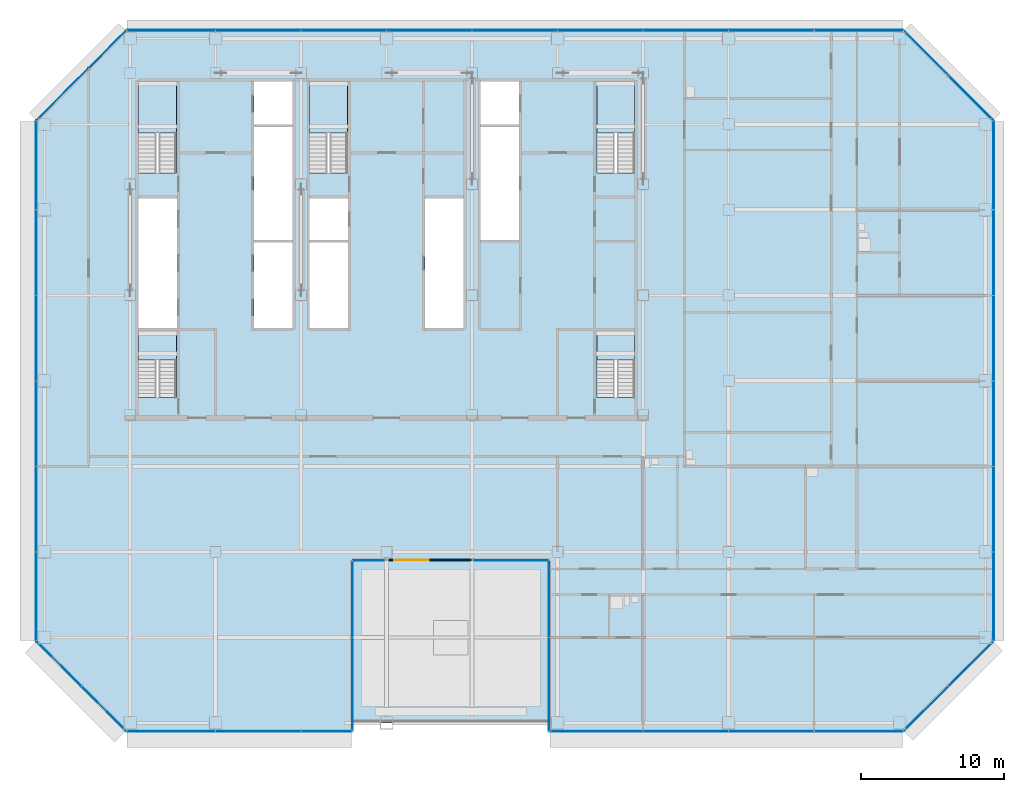
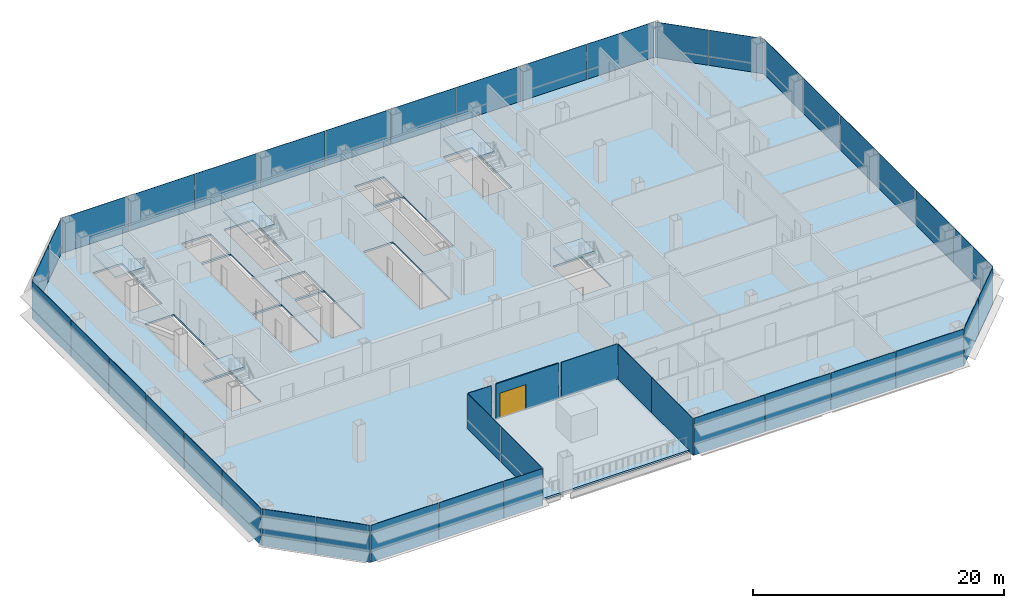
# One storey, part 19 of 27: 42 plates, 7 slabs, 1 door, 1 wall, 1 opening, 17 elements without a shape of their own.
"""IFC4 building model written with IfcOpenShell, lengths in metres."""

from ifc_helpers import new_model, si_unit, direction, frame, frame_2d, origin, origin_2d, place, context, subcontext, project, spatial, polyline, rectangle, outline, extrude, material, layer, layer_set, type_object, element, fill, aggregate, save


model = new_model("IFC4")

# Units and contexts
model_context = context("Model", 3, precision=1e-05, world=origin(), true_north=direction((0.0, 1.0)))
body_context = subcontext(model_context, "Body", "Model", "MODEL_VIEW")
ifc_project = project(units=[si_unit("LENGTHUNIT", "METRE"), si_unit("AREAUNIT", "SQUARE_METRE"), si_unit("VOLUMEUNIT", "CUBIC_METRE"), si_unit("PLANEANGLEUNIT", "RADIAN"), si_unit("MASSUNIT", "GRAM", prefix="KILO")], contexts=[model_context])

# Site, building, storey
site_placement = place(None, origin())
site = spatial("IfcSite", under=ifc_project, at=site_placement, CompositionType="ELEMENT")
building_placement = place(site_placement, origin())
building = spatial("IfcBuilding", under=site, at=building_placement, Name="Sorahane Residences", CompositionType="ELEMENT")
storey_placement = place(building_placement, frame((0.0, 0.0, 82.199951171875)))
storey = spatial("IfcBuildingStorey", under=building, at=storey_placement, Name="L17", CompositionType="ELEMENT", Elevation=82.199951171875)

# Slab
ifc_material_1 = material(Name="Concrete C35", Category="concrete")
ifc_layer_1 = layer(ifc_material_1, 0.179931640625)
ifc_layer_set_1 = layer_set([ifc_layer_1], Name="Composite floor slab 180 mm Concrete C35")
slab_type_1 = type_object("IfcSlabType", Name="Composite floor slab 180 mm Concrete C35", PredefinedType="FLOOR", material=ifc_layer_set_1)
slab_1_placement = place(storey_placement, frame((0.0, 0.0, -0.179931640625)))
element("IfcSlab", 1, at=slab_1_placement, inside=storey, type_object=slab_type_1, Name="Slab L17", PredefinedType="FLOOR", context=body_context, shape_type="SweptSolid", body=[
    extrude(outline(polyline([(5.75146484375, -0.60009765625), (-0.60009765625, 5.75146484375), (-0.60009765625, 42.24853515625), (5.75146484375, 48.60009765625), (60.24853515625, 48.60009765625), (66.60009765625, 42.24853515625), (66.60009765625, 5.75146484375), (60.24853515625, -0.60009765625), (35.39990234375, -0.60009765625), (35.39990234375, 11.39990234375), (21.60009765625, 11.39990234375), (21.60009765625, -0.60009765625), (5.75146484375, -0.60009765625)]), holes=[polyline([(18.60009765625, 27.699951171875), (21.300048828125, 27.699951171875), (21.300048828125, 33.699951171875), (18.60009765625, 33.699951171875), (18.60009765625, 27.699951171875)]), polyline([(30.60009765625, 42.0), (33.300048828125, 42.0), (33.300048828125, 45.0), (30.60009765625, 45.0), (30.60009765625, 42.0)]), polyline([(14.699951171875, 27.699951171875), (17.39990234375, 27.699951171875), (17.39990234375, 33.699951171875), (14.699951171875, 33.699951171875), (14.699951171875, 27.699951171875)]), polyline([(14.699951171875, 42.0), (17.39990234375, 42.0), (17.39990234375, 45.0), (14.699951171875, 45.0), (14.699951171875, 42.0)]), polyline([(6.60009765625, 27.699951171875), (9.300048828125, 27.699951171875), (9.300048828125, 36.800048828125), (6.60009765625, 36.800048828125), (6.60009765625, 27.699951171875)]), polyline([(9.25, 38.60009765625), (9.25, 45.0), (6.60009765625, 45.0), (6.60009765625, 38.60009765625), (9.25, 38.60009765625)]), polyline([(41.39990234375, 38.60009765625), (41.39990234375, 45.0), (38.75, 45.0), (38.75, 38.60009765625), (41.39990234375, 38.60009765625)]), polyline([(21.25, 38.60009765625), (21.25, 45.0), (18.60009765625, 45.0), (18.60009765625, 38.60009765625), (21.25, 38.60009765625)]), polyline([(9.25, 22.85009765625), (9.25, 27.5), (6.60009765625, 27.5), (6.60009765625, 22.85009765625), (9.25, 22.85009765625)]), polyline([(41.39990234375, 22.85009765625), (41.39990234375, 27.5), (38.75, 27.5), (38.75, 22.85009765625), (41.39990234375, 22.85009765625)]), polyline([(14.699951171875, 33.89990234375), (17.39990234375, 33.89990234375), (17.39990234375, 41.800048828125), (14.699951171875, 41.800048828125), (14.699951171875, 33.89990234375)]), polyline([(30.60009765625, 33.89990234375), (33.300048828125, 33.89990234375), (33.300048828125, 41.800048828125), (30.60009765625, 41.800048828125), (30.60009765625, 33.89990234375)]), polyline([(18.60009765625, 33.89990234375), (21.300048828125, 33.89990234375), (21.300048828125, 36.800048828125), (18.60009765625, 36.800048828125), (18.60009765625, 33.89990234375)]), polyline([(26.699951171875, 27.699951171875), (29.39990234375, 27.699951171875), (29.39990234375, 36.800048828125), (26.699951171875, 36.800048828125), (26.699951171875, 27.699951171875)])]), origin(), (0.0, 0.0, 1.0), 0.179931640625),
])

# Curtain wall, plates
ifc_material_2 = material(Name="Dark low-e glass and black anodised aluminium", Category="aluminium")
curtain_wall_type_1 = type_object("IfcCurtainWallType", Name="Curtain wall CW-1 Typical unitised wall", PredefinedType="NOTDEFINED", material=ifc_material_2)
curtain_wall_1_placement = place(storey_placement, origin())
curtain_wall_1 = element("IfcCurtainWall", 2, at=curtain_wall_1_placement, inside=storey, type_object=curtain_wall_type_1, Name="CW-1 curtain wall L17 S1", PredefinedType="NOTDEFINED")
ifc_material_3 = material(Name="Dark low-e glass with black ceramic frit", Category="glass")
ifc_layer_2 = layer(ifc_material_3, 0.0400390625)
ifc_layer_set_2 = layer_set([ifc_layer_2], Name="Curtain wall glass panel dark low-e with black frit spandrel band")
plate_type = type_object("IfcPlateType", Name="Curtain wall glass panel dark low-e with black frit spandrel band", PredefinedType="CURTAIN_PANEL", material=ifc_layer_set_2)
plate_1_placement = place(storey_placement, frame((8.88818359375, -0.60009765625, -0.179931640625), z_axis=(0.0, 0.0, 1.0), x_axis=(1.0, 0.0, 0.0)))
plate_1 = element("IfcPlate", 3, at=plate_1_placement, type_object=plate_type, Name="CW-1 glass panel L17 S1.1", PredefinedType="CURTAIN_PANEL", context=body_context, shape_type="SweptSolid", body=[
    extrude(rectangle(XDim=6.173583984375, YDim=0.0400390625, at=origin_2d()), origin(), (0.0, 0.0, 1.0), 3.60009765625),
])
plate_2_placement = place(storey_placement, frame((15.0, -0.60009765625, -0.179931640625), z_axis=(0.0, 0.0, 1.0), x_axis=(1.0, 0.0, 0.0)))
plate_2 = element("IfcPlate", 4, at=plate_2_placement, type_object=plate_type, Name="CW-1 glass panel L17 S1.2", PredefinedType="CURTAIN_PANEL", context=body_context, shape_type="SweptSolid", body=[
    extrude(rectangle(XDim=5.949951171875, YDim=0.0400390625, at=origin_2d()), origin(), (0.0, 0.0, 1.0), 3.60009765625),
])
plate_3_placement = place(storey_placement, frame((19.78759765625, -0.60009765625, -0.179931640625), z_axis=(0.0, 0.0, 1.0), x_axis=(1.0, 0.0, 0.0)))
plate_3 = element("IfcPlate", 5, at=plate_3_placement, type_object=plate_type, Name="CW-1 glass panel L17 S1.3", PredefinedType="CURTAIN_PANEL", context=body_context, shape_type="SweptSolid", body=[
    extrude(rectangle(XDim=3.52490234375, YDim=0.0400390625, at=origin_2d()), origin(), (0.0, 0.0, 1.0), 3.60009765625),
])
aggregate(curtain_wall_1, [plate_1, plate_2, plate_3])

curtain_wall_2_placement = place(storey_placement, origin())
curtain_wall_2 = element("IfcCurtainWall", 6, at=curtain_wall_2_placement, inside=storey, type_object=curtain_wall_type_1, Name="CW-1 curtain wall L17 E1", PredefinedType="NOTDEFINED")
plate_4_placement = place(storey_placement, frame((21.60009765625, 2.71240234375, -0.179931640625), z_axis=(0.0, 0.0, 1.0), x_axis=(0.0, 1.0, 0.0)))
plate_4 = element("IfcPlate", 7, at=plate_4_placement, type_object=plate_type, Name="CW-1 glass panel L17 E1.1", PredefinedType="CURTAIN_PANEL", context=body_context, shape_type="SweptSolid", body=[
    extrude(rectangle(XDim=6.52490234375, YDim=0.0400390625, at=origin_2d()), origin(), (0.0, 0.0, 1.0), 3.60009765625),
])
plate_5_placement = place(storey_placement, frame((21.60009765625, 8.6875, -0.179931640625), z_axis=(0.0, 0.0, 1.0), x_axis=(0.0, 1.0, 0.0)))
plate_5 = element("IfcPlate", 8, at=plate_5_placement, type_object=plate_type, Name="CW-1 glass panel L17 E1.2", PredefinedType="CURTAIN_PANEL", context=body_context, shape_type="SweptSolid", body=[
    extrude(rectangle(XDim=5.324951171875, YDim=0.0400390625, at=origin_2d()), origin(), (0.0, 0.0, 1.0), 3.60009765625),
])
aggregate(curtain_wall_2, [plate_4, plate_5])

curtain_wall_3_placement = place(storey_placement, origin())
curtain_wall_3 = element("IfcCurtainWall", 9, at=curtain_wall_3_placement, inside=storey, type_object=curtain_wall_type_1, Name="CW-1 curtain wall L17 S2", PredefinedType="NOTDEFINED")
plate_6_placement = place(storey_placement, frame((22.72509765625, 11.39990234375, -0.179931640625), z_axis=(0.0, 0.0, 1.0), x_axis=(1.0, 0.0, 0.0)))
plate_6 = element("IfcPlate", 10, at=plate_6_placement, type_object=plate_type, Name="CW-1 glass panel L17 S2.1", PredefinedType="CURTAIN_PANEL", context=body_context, shape_type="SweptSolid", body=[
    extrude(rectangle(XDim=2.14990234375, YDim=0.0400390625, at=origin_2d()), origin(), (0.0, 0.0, 1.0), 3.60009765625),
])
plate_7_placement = place(storey_placement, frame((32.77490234375, 11.39990234375, -0.179931640625), z_axis=(0.0, 0.0, 1.0), x_axis=(1.0, 0.0, 0.0)))
plate_7 = element("IfcPlate", 11, at=plate_7_placement, type_object=plate_type, Name="CW-1 glass panel L17 S2.3", PredefinedType="CURTAIN_PANEL", context=body_context, shape_type="SweptSolid", body=[
    extrude(rectangle(XDim=5.14990234375, YDim=0.0400390625, at=origin_2d()), origin(), (0.0, 0.0, 1.0), 3.60009765625),
])
aggregate(curtain_wall_3, [plate_6, plate_7])

curtain_wall_4_placement = place(storey_placement, origin())
curtain_wall_4 = element("IfcCurtainWall", 12, at=curtain_wall_4_placement, inside=storey, type_object=curtain_wall_type_1, Name="CW-1 curtain wall L17 W1", PredefinedType="NOTDEFINED")
plate_8_placement = place(storey_placement, frame((35.39990234375, 8.6875, -0.179931640625), z_axis=(0.0, 0.0, 1.0), x_axis=(0.0, -1.0, 0.0)))
plate_8 = element("IfcPlate", 13, at=plate_8_placement, type_object=plate_type, Name="CW-1 glass panel L17 W1.1", PredefinedType="CURTAIN_PANEL", context=body_context, shape_type="SweptSolid", body=[
    extrude(rectangle(XDim=5.324951171875, YDim=0.0400390625, at=origin_2d()), origin(), (0.0, 0.0, 1.0), 3.60009765625),
])
plate_9_placement = place(storey_placement, frame((35.39990234375, 2.71240234375, -0.179931640625), z_axis=(0.0, 0.0, 1.0), x_axis=(0.0, -1.0, 0.0)))
plate_9 = element("IfcPlate", 14, at=plate_9_placement, type_object=plate_type, Name="CW-1 glass panel L17 W1.2", PredefinedType="CURTAIN_PANEL", context=body_context, shape_type="SweptSolid", body=[
    extrude(rectangle(XDim=6.52490234375, YDim=0.0400390625, at=origin_2d()), origin(), (0.0, 0.0, 1.0), 3.60009765625),
])
aggregate(curtain_wall_4, [plate_8, plate_9])

curtain_wall_5_placement = place(storey_placement, origin())
curtain_wall_5 = element("IfcCurtainWall", 15, at=curtain_wall_5_placement, inside=storey, type_object=curtain_wall_type_1, Name="CW-1 curtain wall L17 S3", PredefinedType="NOTDEFINED")
plate_10_placement = place(storey_placement, frame((38.71240234375, -0.60009765625, -0.179931640625), z_axis=(0.0, 0.0, 1.0), x_axis=(1.0, 0.0, 0.0)))
plate_10 = element("IfcPlate", 16, at=plate_10_placement, type_object=plate_type, Name="CW-1 glass panel L17 S3.1", PredefinedType="CURTAIN_PANEL", context=body_context, shape_type="SweptSolid", body=[
    extrude(rectangle(XDim=6.52490234375, YDim=0.0400390625, at=origin_2d()), origin(), (0.0, 0.0, 1.0), 3.60009765625),
])
plate_11_placement = place(storey_placement, frame((45.0, -0.60009765625, -0.179931640625), z_axis=(0.0, 0.0, 1.0), x_axis=(1.0, 0.0, 0.0)))
plate_11 = element("IfcPlate", 17, at=plate_11_placement, type_object=plate_type, Name="CW-1 glass panel L17 S3.2", PredefinedType="CURTAIN_PANEL", context=body_context, shape_type="SweptSolid", body=[
    extrude(rectangle(XDim=5.949951171875, YDim=0.0400390625, at=origin_2d()), origin(), (0.0, 0.0, 1.0), 3.60009765625),
])
plate_12_placement = place(storey_placement, frame((51.0, -0.60009765625, -0.179931640625), z_axis=(0.0, 0.0, 1.0), x_axis=(1.0, 0.0, 0.0)))
plate_12 = element("IfcPlate", 18, at=plate_12_placement, type_object=plate_type, Name="CW-1 glass panel L17 S3.3", PredefinedType="CURTAIN_PANEL", context=body_context, shape_type="SweptSolid", body=[
    extrude(rectangle(XDim=5.949951171875, YDim=0.0400390625, at=origin_2d()), origin(), (0.0, 0.0, 1.0), 3.60009765625),
])
plate_13_placement = place(storey_placement, frame((57.11181640625, -0.60009765625, -0.179931640625), z_axis=(0.0, 0.0, 1.0), x_axis=(1.0, 0.0, 0.0)))
plate_13 = element("IfcPlate", 19, at=plate_13_placement, type_object=plate_type, Name="CW-1 glass panel L17 S3.4", PredefinedType="CURTAIN_PANEL", context=body_context, shape_type="SweptSolid", body=[
    extrude(rectangle(XDim=6.173583984375, YDim=0.0400390625, at=origin_2d()), origin(), (0.0, 0.0, 1.0), 3.60009765625),
])
aggregate(curtain_wall_5, [plate_10, plate_11, plate_12, plate_13])

ifc_material_4 = material(Name="Dark low-e glass and black anodised aluminium", Category="aluminium")
curtain_wall_type_2 = type_object("IfcCurtainWallType", Name="Curtain wall CW-2 Chamfer unitised wall", PredefinedType="NOTDEFINED", material=ifc_material_4)
curtain_wall_6_placement = place(storey_placement, origin())
curtain_wall_6 = element("IfcCurtainWall", 20, at=curtain_wall_6_placement, inside=storey, type_object=curtain_wall_type_2, Name="CW-2 curtain wall L17 SE1", PredefinedType="NOTDEFINED")
plate_14_placement = place(storey_placement, frame((61.84521484375, 0.996826171875, -0.179931640625), z_axis=(0.0, 0.0, 1.0), x_axis=(0.707106781187, 0.707106781187, 0.0)))
plate_14 = element("IfcPlate", 21, at=plate_14_placement, type_object=plate_type, Name="CW-2 glass panel L17 SE1.1", PredefinedType="CURTAIN_PANEL", context=body_context, shape_type="SweptSolid", body=[
    extrude(rectangle(XDim=4.416259765625, YDim=0.0400390625, at=origin_2d()), origin(), (0.0, 0.0, 1.0), 3.60009765625),
])
plate_15_placement = place(storey_placement, frame((65.003173828125, 4.15478515625, -0.179931640625), z_axis=(0.0, 0.0, 1.0), x_axis=(0.707106781187, 0.707106781187, 0.0)))
plate_15 = element("IfcPlate", 22, at=plate_15_placement, type_object=plate_type, Name="CW-2 glass panel L17 SE1.2", PredefinedType="CURTAIN_PANEL", context=body_context, shape_type="SweptSolid", body=[
    extrude(rectangle(XDim=4.416259765625, YDim=0.0400390625, at=origin_2d()), origin(), (0.0, 0.0, 1.0), 3.60009765625),
])
aggregate(curtain_wall_6, [plate_14, plate_15])

curtain_wall_7_placement = place(storey_placement, origin())
curtain_wall_7 = element("IfcCurtainWall", 23, at=curtain_wall_7_placement, inside=storey, type_object=curtain_wall_type_1, Name="CW-1 curtain wall L17 E2", PredefinedType="NOTDEFINED")
plate_16_placement = place(storey_placement, frame((66.60009765625, 8.88818359375, -0.179931640625), z_axis=(0.0, 0.0, 1.0), x_axis=(0.0, 1.0, 0.0)))
plate_16 = element("IfcPlate", 24, at=plate_16_placement, type_object=plate_type, Name="CW-1 glass panel L17 E2.1", PredefinedType="CURTAIN_PANEL", context=body_context, shape_type="SweptSolid", body=[
    extrude(rectangle(XDim=6.173583984375, YDim=0.0400390625, at=origin_2d()), origin(), (0.0, 0.0, 1.0), 3.60009765625),
])
plate_17_placement = place(storey_placement, frame((66.60009765625, 15.0, -0.179931640625), z_axis=(0.0, 0.0, 1.0), x_axis=(0.0, 1.0, 0.0)))
plate_17 = element("IfcPlate", 25, at=plate_17_placement, type_object=plate_type, Name="CW-1 glass panel L17 E2.2", PredefinedType="CURTAIN_PANEL", context=body_context, shape_type="SweptSolid", body=[
    extrude(rectangle(XDim=5.949951171875, YDim=0.0400390625, at=origin_2d()), origin(), (0.0, 0.0, 1.0), 3.60009765625),
])
plate_18_placement = place(storey_placement, frame((66.60009765625, 21.0, -0.179931640625), z_axis=(0.0, 0.0, 1.0), x_axis=(0.0, 1.0, 0.0)))
plate_18 = element("IfcPlate", 26, at=plate_18_placement, type_object=plate_type, Name="CW-1 glass panel L17 E2.3", PredefinedType="CURTAIN_PANEL", context=body_context, shape_type="SweptSolid", body=[
    extrude(rectangle(XDim=5.949951171875, YDim=0.0400390625, at=origin_2d()), origin(), (0.0, 0.0, 1.0), 3.60009765625),
])
plate_19_placement = place(storey_placement, frame((66.60009765625, 27.0, -0.179931640625), z_axis=(0.0, 0.0, 1.0), x_axis=(0.0, 1.0, 0.0)))
plate_19 = element("IfcPlate", 27, at=plate_19_placement, type_object=plate_type, Name="CW-1 glass panel L17 E2.4", PredefinedType="CURTAIN_PANEL", context=body_context, shape_type="SweptSolid", body=[
    extrude(rectangle(XDim=5.949951171875, YDim=0.0400390625, at=origin_2d()), origin(), (0.0, 0.0, 1.0), 3.60009765625),
])
plate_20_placement = place(storey_placement, frame((66.60009765625, 33.0, -0.179931640625), z_axis=(0.0, 0.0, 1.0), x_axis=(0.0, 1.0, 0.0)))
plate_20 = element("IfcPlate", 28, at=plate_20_placement, type_object=plate_type, Name="CW-1 glass panel L17 E2.5", PredefinedType="CURTAIN_PANEL", context=body_context, shape_type="SweptSolid", body=[
    extrude(rectangle(XDim=5.949951171875, YDim=0.0400390625, at=origin_2d()), origin(), (0.0, 0.0, 1.0), 3.60009765625),
])
plate_21_placement = place(storey_placement, frame((66.60009765625, 39.11181640625, -0.179931640625), z_axis=(0.0, 0.0, 1.0), x_axis=(0.0, 1.0, 0.0)))
plate_21 = element("IfcPlate", 29, at=plate_21_placement, type_object=plate_type, Name="CW-1 glass panel L17 E2.6", PredefinedType="CURTAIN_PANEL", context=body_context, shape_type="SweptSolid", body=[
    extrude(rectangle(XDim=6.173583984375, YDim=0.0400390625, at=origin_2d()), origin(), (0.0, 0.0, 1.0), 3.60009765625),
])
aggregate(curtain_wall_7, [plate_16, plate_17, plate_18, plate_19, plate_20, plate_21])

curtain_wall_8_placement = place(storey_placement, origin())
curtain_wall_8 = element("IfcCurtainWall", 30, at=curtain_wall_8_placement, inside=storey, type_object=curtain_wall_type_2, Name="CW-2 curtain wall L17 NE1", PredefinedType="NOTDEFINED")
plate_22_placement = place(storey_placement, frame((65.003173828125, 43.84521484375, -0.179931640625), z_axis=(0.0, 0.0, 1.0), x_axis=(-0.707106781187, 0.707106781187, 0.0)))
plate_22 = element("IfcPlate", 31, at=plate_22_placement, type_object=plate_type, Name="CW-2 glass panel L17 NE1.1", PredefinedType="CURTAIN_PANEL", context=body_context, shape_type="SweptSolid", body=[
    extrude(rectangle(XDim=4.416259765625, YDim=0.0400390625, at=origin_2d()), origin(), (0.0, 0.0, 1.0), 3.60009765625),
])
plate_23_placement = place(storey_placement, frame((61.84521484375, 47.003173828125, -0.179931640625), z_axis=(0.0, 0.0, 1.0), x_axis=(-0.707106781187, 0.707106781187, 0.0)))
plate_23 = element("IfcPlate", 32, at=plate_23_placement, type_object=plate_type, Name="CW-2 glass panel L17 NE1.2", PredefinedType="CURTAIN_PANEL", context=body_context, shape_type="SweptSolid", body=[
    extrude(rectangle(XDim=4.416259765625, YDim=0.0400390625, at=origin_2d()), origin(), (0.0, 0.0, 1.0), 3.60009765625),
])
aggregate(curtain_wall_8, [plate_22, plate_23])

curtain_wall_9_placement = place(storey_placement, origin())
curtain_wall_9 = element("IfcCurtainWall", 33, at=curtain_wall_9_placement, inside=storey, type_object=curtain_wall_type_1, Name="CW-1 curtain wall L17 N1", PredefinedType="NOTDEFINED")
plate_24_placement = place(storey_placement, frame((57.11181640625, 48.60009765625, -0.179931640625), z_axis=(0.0, 0.0, 1.0), x_axis=(-1.0, 0.0, 0.0)))
plate_24 = element("IfcPlate", 34, at=plate_24_placement, type_object=plate_type, Name="CW-1 glass panel L17 N1.1", PredefinedType="CURTAIN_PANEL", context=body_context, shape_type="SweptSolid", body=[
    extrude(rectangle(XDim=6.173583984375, YDim=0.0400390625, at=origin_2d()), origin(), (0.0, 0.0, 1.0), 3.60009765625),
])
plate_25_placement = place(storey_placement, frame((51.0, 48.60009765625, -0.179931640625), z_axis=(0.0, 0.0, 1.0), x_axis=(-1.0, 0.0, 0.0)))
plate_25 = element("IfcPlate", 35, at=plate_25_placement, type_object=plate_type, Name="CW-1 glass panel L17 N1.2", PredefinedType="CURTAIN_PANEL", context=body_context, shape_type="SweptSolid", body=[
    extrude(rectangle(XDim=5.949951171875, YDim=0.0400390625, at=origin_2d()), origin(), (0.0, 0.0, 1.0), 3.60009765625),
])
plate_26_placement = place(storey_placement, frame((45.0, 48.60009765625, -0.179931640625), z_axis=(0.0, 0.0, 1.0), x_axis=(-1.0, 0.0, 0.0)))
plate_26 = element("IfcPlate", 36, at=plate_26_placement, type_object=plate_type, Name="CW-1 glass panel L17 N1.3", PredefinedType="CURTAIN_PANEL", context=body_context, shape_type="SweptSolid", body=[
    extrude(rectangle(XDim=5.949951171875, YDim=0.0400390625, at=origin_2d()), origin(), (0.0, 0.0, 1.0), 3.60009765625),
])
plate_27_placement = place(storey_placement, frame((39.0, 48.60009765625, -0.179931640625), z_axis=(0.0, 0.0, 1.0), x_axis=(-1.0, 0.0, 0.0)))
plate_27 = element("IfcPlate", 37, at=plate_27_placement, type_object=plate_type, Name="CW-1 glass panel L17 N1.4", PredefinedType="CURTAIN_PANEL", context=body_context, shape_type="SweptSolid", body=[
    extrude(rectangle(XDim=5.949951171875, YDim=0.0400390625, at=origin_2d()), origin(), (0.0, 0.0, 1.0), 3.60009765625),
])
plate_28_placement = place(storey_placement, frame((33.0, 48.60009765625, -0.179931640625), z_axis=(0.0, 0.0, 1.0), x_axis=(-1.0, 0.0, 0.0)))
plate_28 = element("IfcPlate", 38, at=plate_28_placement, type_object=plate_type, Name="CW-1 glass panel L17 N1.5", PredefinedType="CURTAIN_PANEL", context=body_context, shape_type="SweptSolid", body=[
    extrude(rectangle(XDim=5.949951171875, YDim=0.0400390625, at=origin_2d()), origin(), (0.0, 0.0, 1.0), 3.60009765625),
])
plate_29_placement = place(storey_placement, frame((27.0, 48.60009765625, -0.179931640625), z_axis=(0.0, 0.0, 1.0), x_axis=(-1.0, 0.0, 0.0)))
plate_29 = element("IfcPlate", 39, at=plate_29_placement, type_object=plate_type, Name="CW-1 glass panel L17 N1.6", PredefinedType="CURTAIN_PANEL", context=body_context, shape_type="SweptSolid", body=[
    extrude(rectangle(XDim=5.949951171875, YDim=0.0400390625, at=origin_2d()), origin(), (0.0, 0.0, 1.0), 3.60009765625),
])
plate_30_placement = place(storey_placement, frame((21.0, 48.60009765625, -0.179931640625), z_axis=(0.0, 0.0, 1.0), x_axis=(-1.0, 0.0, 0.0)))
plate_30 = element("IfcPlate", 40, at=plate_30_placement, type_object=plate_type, Name="CW-1 glass panel L17 N1.7", PredefinedType="CURTAIN_PANEL", context=body_context, shape_type="SweptSolid", body=[
    extrude(rectangle(XDim=5.949951171875, YDim=0.0400390625, at=origin_2d()), origin(), (0.0, 0.0, 1.0), 3.60009765625),
])
plate_31_placement = place(storey_placement, frame((15.0, 48.60009765625, -0.179931640625), z_axis=(0.0, 0.0, 1.0), x_axis=(-1.0, 0.0, 0.0)))
plate_31 = element("IfcPlate", 41, at=plate_31_placement, type_object=plate_type, Name="CW-1 glass panel L17 N1.8", PredefinedType="CURTAIN_PANEL", context=body_context, shape_type="SweptSolid", body=[
    extrude(rectangle(XDim=5.949951171875, YDim=0.0400390625, at=origin_2d()), origin(), (0.0, 0.0, 1.0), 3.60009765625),
])
plate_32_placement = place(storey_placement, frame((8.88818359375, 48.60009765625, -0.179931640625), z_axis=(0.0, 0.0, 1.0), x_axis=(-1.0, 0.0, 0.0)))
plate_32 = element("IfcPlate", 42, at=plate_32_placement, type_object=plate_type, Name="CW-1 glass panel L17 N1.9", PredefinedType="CURTAIN_PANEL", context=body_context, shape_type="SweptSolid", body=[
    extrude(rectangle(XDim=6.173583984375, YDim=0.0400390625, at=origin_2d()), origin(), (0.0, 0.0, 1.0), 3.60009765625),
])
aggregate(curtain_wall_9, [plate_24, plate_25, plate_26, plate_27, plate_28, plate_29, plate_30, plate_31, plate_32])

curtain_wall_10_placement = place(storey_placement, origin())
curtain_wall_10 = element("IfcCurtainWall", 43, at=curtain_wall_10_placement, inside=storey, type_object=curtain_wall_type_2, Name="CW-2 curtain wall L17 NW1", PredefinedType="NOTDEFINED")
plate_33_placement = place(storey_placement, frame((4.4169921875, 47.265625, -0.179931640625), z_axis=(0.0, 0.0, 1.0), x_axis=(-0.707106781187, -0.707106781187, 0.0)))
plate_33 = element("IfcPlate", 44, at=plate_33_placement, type_object=plate_type, Name="CW-2 glass panel L17 NW1.1", PredefinedType="CURTAIN_PANEL", context=body_context, shape_type="SweptSolid", body=[
    extrude(rectangle(XDim=3.67431640625, YDim=0.0400390625, at=origin_2d()), origin(), (0.0, 0.0, 1.0), 3.60009765625),
])
plate_34_placement = place(storey_placement, frame((1.259033203125, 44.107421875, -0.179931640625), z_axis=(0.0, 0.0, 1.0), x_axis=(-0.707106781187, -0.707106781187, 0.0)))
plate_34 = element("IfcPlate", 45, at=plate_34_placement, type_object=plate_type, Name="CW-2 glass panel L17 NW1.2", PredefinedType="CURTAIN_PANEL", context=body_context, shape_type="SweptSolid", body=[
    extrude(rectangle(XDim=5.157958984375, YDim=0.0400390625, at=origin_2d()), origin(), (0.0, 0.0, 1.0), 3.60009765625),
])
aggregate(curtain_wall_10, [plate_33, plate_34])

curtain_wall_11_placement = place(storey_placement, origin())
curtain_wall_11 = element("IfcCurtainWall", 46, at=curtain_wall_11_placement, inside=storey, type_object=curtain_wall_type_1, Name="CW-1 curtain wall L17 W2", PredefinedType="NOTDEFINED")
plate_35_placement = place(storey_placement, frame((-0.60009765625, 39.11181640625, -0.179931640625), z_axis=(0.0, 0.0, 1.0), x_axis=(0.0, -1.0, 0.0)))
plate_35 = element("IfcPlate", 47, at=plate_35_placement, type_object=plate_type, Name="CW-1 glass panel L17 W2.1", PredefinedType="CURTAIN_PANEL", context=body_context, shape_type="SweptSolid", body=[
    extrude(rectangle(XDim=6.173583984375, YDim=0.0400390625, at=origin_2d()), origin(), (0.0, 0.0, 1.0), 3.60009765625),
])
plate_36_placement = place(storey_placement, frame((-0.60009765625, 33.0, -0.179931640625), z_axis=(0.0, 0.0, 1.0), x_axis=(0.0, -1.0, 0.0)))
plate_36 = element("IfcPlate", 48, at=plate_36_placement, type_object=plate_type, Name="CW-1 glass panel L17 W2.2", PredefinedType="CURTAIN_PANEL", context=body_context, shape_type="SweptSolid", body=[
    extrude(rectangle(XDim=5.949951171875, YDim=0.0400390625, at=origin_2d()), origin(), (0.0, 0.0, 1.0), 3.60009765625),
])
plate_37_placement = place(storey_placement, frame((-0.60009765625, 27.0, -0.179931640625), z_axis=(0.0, 0.0, 1.0), x_axis=(0.0, -1.0, 0.0)))
plate_37 = element("IfcPlate", 49, at=plate_37_placement, type_object=plate_type, Name="CW-1 glass panel L17 W2.3", PredefinedType="CURTAIN_PANEL", context=body_context, shape_type="SweptSolid", body=[
    extrude(rectangle(XDim=5.949951171875, YDim=0.0400390625, at=origin_2d()), origin(), (0.0, 0.0, 1.0), 3.60009765625),
])
plate_38_placement = place(storey_placement, frame((-0.60009765625, 21.0, -0.179931640625), z_axis=(0.0, 0.0, 1.0), x_axis=(0.0, -1.0, 0.0)))
plate_38 = element("IfcPlate", 50, at=plate_38_placement, type_object=plate_type, Name="CW-1 glass panel L17 W2.4", PredefinedType="CURTAIN_PANEL", context=body_context, shape_type="SweptSolid", body=[
    extrude(rectangle(XDim=5.949951171875, YDim=0.0400390625, at=origin_2d()), origin(), (0.0, 0.0, 1.0), 3.60009765625),
])
plate_39_placement = place(storey_placement, frame((-0.60009765625, 15.0, -0.179931640625), z_axis=(0.0, 0.0, 1.0), x_axis=(0.0, -1.0, 0.0)))
plate_39 = element("IfcPlate", 51, at=plate_39_placement, type_object=plate_type, Name="CW-1 glass panel L17 W2.5", PredefinedType="CURTAIN_PANEL", context=body_context, shape_type="SweptSolid", body=[
    extrude(rectangle(XDim=5.949951171875, YDim=0.0400390625, at=origin_2d()), origin(), (0.0, 0.0, 1.0), 3.60009765625),
])
plate_40_placement = place(storey_placement, frame((-0.60009765625, 8.88818359375, -0.179931640625), z_axis=(0.0, 0.0, 1.0), x_axis=(0.0, -1.0, 0.0)))
plate_40 = element("IfcPlate", 52, at=plate_40_placement, type_object=plate_type, Name="CW-1 glass panel L17 W2.6", PredefinedType="CURTAIN_PANEL", context=body_context, shape_type="SweptSolid", body=[
    extrude(rectangle(XDim=6.173583984375, YDim=0.0400390625, at=origin_2d()), origin(), (0.0, 0.0, 1.0), 3.60009765625),
])
aggregate(curtain_wall_11, [plate_35, plate_36, plate_37, plate_38, plate_39, plate_40])

curtain_wall_12_placement = place(storey_placement, origin())
curtain_wall_12 = element("IfcCurtainWall", 53, at=curtain_wall_12_placement, inside=storey, type_object=curtain_wall_type_2, Name="CW-2 curtain wall L17 SW1", PredefinedType="NOTDEFINED")
plate_41_placement = place(storey_placement, frame((0.996826171875, 4.15478515625, -0.179931640625), z_axis=(0.0, 0.0, 1.0), x_axis=(0.707106781187, -0.707106781187, 0.0)))
plate_41 = element("IfcPlate", 54, at=plate_41_placement, type_object=plate_type, Name="CW-2 glass panel L17 SW1.1", PredefinedType="CURTAIN_PANEL", context=body_context, shape_type="SweptSolid", body=[
    extrude(rectangle(XDim=4.416259765625, YDim=0.0400390625, at=origin_2d()), origin(), (0.0, 0.0, 1.0), 3.60009765625),
])
plate_42_placement = place(storey_placement, frame((4.15478515625, 0.996826171875, -0.179931640625), z_axis=(0.0, 0.0, 1.0), x_axis=(0.707106781187, -0.707106781187, 0.0)))
plate_42 = element("IfcPlate", 55, at=plate_42_placement, type_object=plate_type, Name="CW-2 glass panel L17 SW1.2", PredefinedType="CURTAIN_PANEL", context=body_context, shape_type="SweptSolid", body=[
    extrude(rectangle(XDim=4.416259765625, YDim=0.0400390625, at=origin_2d()), origin(), (0.0, 0.0, 1.0), 3.60009765625),
])
aggregate(curtain_wall_12, [plate_41, plate_42])

# Stair, slab
ifc_material_5 = material(Name="Concrete C40", Category="concrete")
stair_type = type_object("IfcStairType", Name="Dog-leg stair 1250 Concrete C40", PredefinedType="HALF_TURN_STAIR", material=ifc_material_5)
stair_1_placement = place(storey_placement, origin())
stair_1 = element("IfcStair", 56, at=stair_1_placement, inside=storey, type_object=stair_type, Name="L17 Stair S1", PredefinedType="HALF_TURN_STAIR")
ifc_material_6 = material(Name="Concrete C40", Category="concrete")
ifc_layer_3 = layer(ifc_material_6, 0.199951171875)
ifc_layer_set_3 = layer_set([ifc_layer_3], Name="Stair landing 200 Concrete C40")
slab_type_2 = type_object("IfcSlabType", Name="Stair landing 200 Concrete C40", PredefinedType="LANDING", material=ifc_layer_set_3)
slab_2_placement = place(storey_placement, frame((0.0, 0.0, 1.60009765625)))
slab_2 = element("IfcSlab", 57, at=slab_2_placement, type_object=slab_type_2, Name="S1 landing 1", PredefinedType="LANDING", context=body_context, shape_type="SweptSolid", body=[
    extrude(outline(polyline([(9.25, 41.39990234375), (9.25, 45.0), (6.60009765625, 45.0), (6.60009765625, 41.39990234375), (9.25, 41.39990234375)])), origin(), (0.0, 0.0, 1.0), 0.199951171875),
])
aggregate(stair_1, [slab_2])

stair_2_placement = place(storey_placement, origin())
stair_2 = element("IfcStair", 58, at=stair_2_placement, inside=storey, type_object=stair_type, Name="L17 Stair S2", PredefinedType="HALF_TURN_STAIR")
slab_3_placement = place(storey_placement, frame((0.0, 0.0, 1.60009765625)))
slab_3 = element("IfcSlab", 59, at=slab_3_placement, type_object=slab_type_2, Name="S2 landing 1", PredefinedType="LANDING", context=body_context, shape_type="SweptSolid", body=[
    extrude(outline(polyline([(41.39990234375, 41.39990234375), (41.39990234375, 45.0), (38.75, 45.0), (38.75, 41.39990234375), (41.39990234375, 41.39990234375)])), origin(), (0.0, 0.0, 1.0), 0.199951171875),
])
aggregate(stair_2, [slab_3])

stair_3_placement = place(storey_placement, origin())
stair_3 = element("IfcStair", 60, at=stair_3_placement, inside=storey, type_object=stair_type, Name="L17 Stair S3", PredefinedType="HALF_TURN_STAIR")
slab_4_placement = place(storey_placement, frame((0.0, 0.0, 1.60009765625)))
slab_4 = element("IfcSlab", 61, at=slab_4_placement, type_object=slab_type_2, Name="S3 landing 1", PredefinedType="LANDING", context=body_context, shape_type="SweptSolid", body=[
    extrude(outline(polyline([(21.25, 41.39990234375), (21.25, 45.0), (18.60009765625, 45.0), (18.60009765625, 41.39990234375), (21.25, 41.39990234375)])), origin(), (0.0, 0.0, 1.0), 0.199951171875),
])
aggregate(stair_3, [slab_4])

stair_4_placement = place(storey_placement, origin())
stair_4 = element("IfcStair", 62, at=stair_4_placement, inside=storey, type_object=stair_type, Name="L17 Stair S4", PredefinedType="HALF_TURN_STAIR")
slab_5_placement = place(storey_placement, frame((0.0, 0.0, 1.60009765625)))
slab_5 = element("IfcSlab", 63, at=slab_5_placement, type_object=slab_type_2, Name="S4 landing 1", PredefinedType="LANDING", context=body_context, shape_type="SweptSolid", body=[
    extrude(outline(polyline([(9.25, 25.449951171875), (9.25, 27.5), (6.60009765625, 27.5), (6.60009765625, 25.449951171875), (9.25, 25.449951171875)])), origin(), (0.0, 0.0, 1.0), 0.199951171875),
])
aggregate(stair_4, [slab_5])

stair_5_placement = place(storey_placement, origin())
stair_5 = element("IfcStair", 64, at=stair_5_placement, inside=storey, type_object=stair_type, Name="L17 Stair S5", PredefinedType="HALF_TURN_STAIR")
slab_6_placement = place(storey_placement, frame((0.0, 0.0, 1.60009765625)))
slab_6 = element("IfcSlab", 65, at=slab_6_placement, type_object=slab_type_2, Name="S5 landing 1", PredefinedType="LANDING", context=body_context, shape_type="SweptSolid", body=[
    extrude(outline(polyline([(41.39990234375, 25.449951171875), (41.39990234375, 27.5), (38.75, 27.5), (38.75, 25.449951171875), (41.39990234375, 25.449951171875)])), origin(), (0.0, 0.0, 1.0), 0.199951171875),
])
aggregate(stair_5, [slab_6])

# Slab
ifc_material_7 = material(Name="Concrete C35", Category="concrete")
ifc_layer_4 = layer(ifc_material_7, 0.179931640625)
ifc_layer_set_4 = layer_set([ifc_layer_4], Name="Terrace slab Concrete C35 paved")
slab_type_3 = type_object("IfcSlabType", Name="Terrace slab Concrete C35 paved", PredefinedType="FLOOR", material=ifc_layer_set_4)
slab_7_placement = place(storey_placement, frame((0.0, 0.0, -0.179931640625)))
element("IfcSlab", 66, at=slab_7_placement, inside=storey, type_object=slab_type_3, Name="Terrace slab L17.1", PredefinedType="FLOOR", context=body_context, shape_type="SweptSolid", body=[
    extrude(outline(polyline([(21.60009765625, 0.0), (21.60009765625, 11.39990234375), (35.39990234375, 11.39990234375), (35.39990234375, 0.0), (21.60009765625, 0.0)])), origin(), (0.0, 0.0, 1.0), 0.179931640625),
])

# Wall, opening, door
ifc_material_8 = material(Name="Toughened low-iron glass", Category="glass")
ifc_layer_5 = layer(ifc_material_8, 0.10009765625)
ifc_layer_set_5 = layer_set([ifc_layer_5], Name="Glazed door screen toughened low-iron glass 100")
wall_type = type_object("IfcWallType", Name="Glazed door screen toughened low-iron glass 100", PredefinedType="SOLIDWALL", material=ifc_layer_set_5)
wall_placement = place(storey_placement, frame((24.199951171875, 11.429931640625, 0.0), z_axis=(0.0, 0.0, 1.0), x_axis=(1.0, 0.0, 0.0)))
wall = element("IfcWall", 67, at=wall_placement, inside=storey, type_object=wall_type, Name="Glazed door screen L17 S2.2", PredefinedType="SOLIDWALL", context=body_context, shape_type="SweptSolid", body=[
    extrude(rectangle(XDim=5.775146484375, YDim=0.10009765625, at=frame_2d((2.8876953125, 0.0))), origin(), (0.0, 0.0, 1.0), 3.420166015625),
])
opening_placement = place(wall_placement, frame((0.35009765625, 0.0, 0.0)))
opening = element("IfcOpeningElement", 68, at=opening_placement, cuts=wall, Name="Opening L17-F01", PredefinedType="OPENING", context=body_context, shape_type="SweptSolid", body=[
    extrude(rectangle(XDim=2.39990234375, YDim=2.39990234375, at=frame_2d((1.199951171875, 1.199951171875))), frame((0.0, 0.06005859375, 0.0), z_axis=(0.0, -1.0, 0.0), x_axis=(1.0, 0.0, 0.0)), (0.0, 0.0, 1.0), 0.1201171875),
])
ifc_material_9 = material(Name="Black anodised aluminium and low-iron glass", Category="aluminium")
door_type = type_object("IfcDoorType", Name="Glazed terrace door black aluminium 2400x2400", OperationType="DOUBLE_DOOR_SINGLE_SWING", PredefinedType="DOOR", material=ifc_material_9)
door_placement = place(opening_placement, origin())
door = element("IfcDoor", 69, at=door_placement, inside=storey, type_object=door_type, Name="Terrace door L17-F01", OperationType="DOUBLE_DOOR_SINGLE_SWING", OverallHeight=2.39990234375, OverallWidth=2.39990234375, PredefinedType="DOOR", context=body_context, shape_type="SweptSolid", body=[
    extrude(rectangle(XDim=2.39990234375, YDim=2.39990234375, at=frame_2d((1.199951171875, 1.199951171875))), frame((0.0, 0.02490234375, 0.0), z_axis=(0.0, -1.0, 0.0), x_axis=(1.0, 0.0, 0.0)), (0.0, 0.0, 1.0), 0.050048828125),
])
fill(opening, door)

save(model, "model.ifc")
